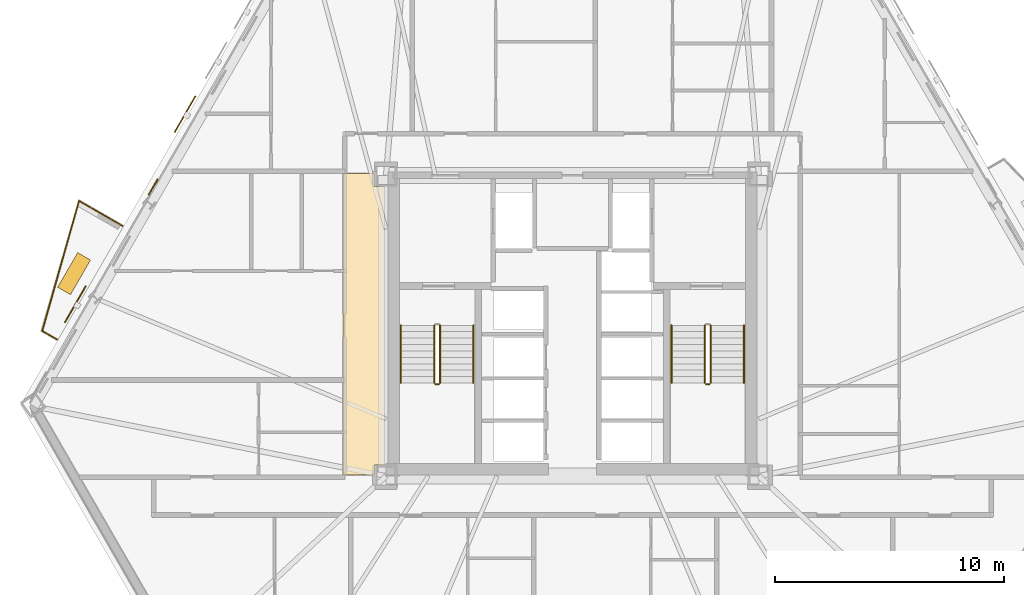
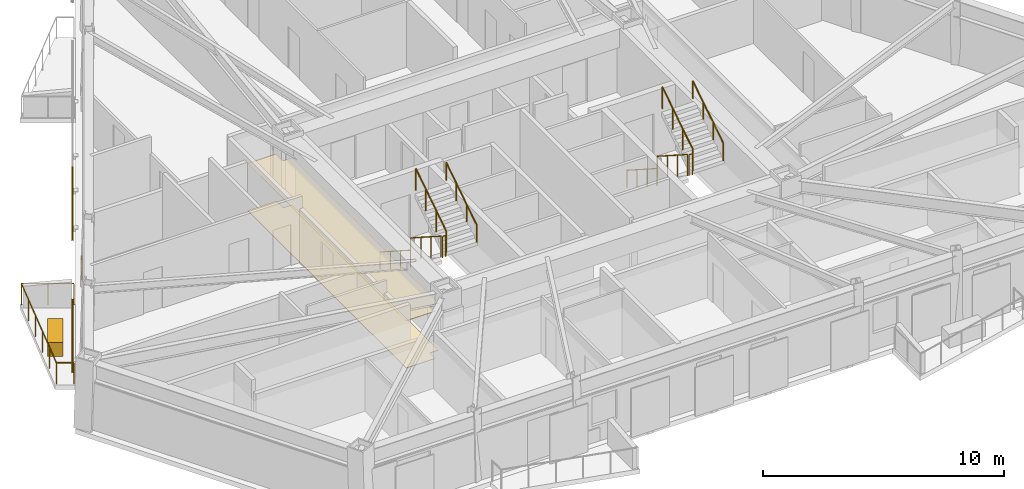
# One storey, part 8 of 10: 13 railings, 4 coverings, 2 shading devices.
"""IFC4 building model written with IfcOpenShell, lengths in metres."""

from ifc_helpers import new_model, si_unit, direction, frame, origin, origin_2d, place, context, subcontext, project, spatial, polyline, rectangle, circle, outline, extrude, material, layer, layer_set, type_object, element, save


model = new_model("IFC4")

# Units and contexts
model_context = context("Model", 3, precision=1e-05, world=origin(), true_north=direction((0.0, 1.0)))
body_context = subcontext(model_context, "Body", "Model", "MODEL_VIEW")
ifc_project = project(units=[si_unit("LENGTHUNIT", "METRE"), si_unit("AREAUNIT", "SQUARE_METRE"), si_unit("VOLUMEUNIT", "CUBIC_METRE"), si_unit("PLANEANGLEUNIT", "RADIAN"), si_unit("MASSUNIT", "GRAM", prefix="KILO")], contexts=[model_context])

# Site, building, storey
site_placement = place(None, origin())
site = spatial("IfcSite", under=ifc_project, at=site_placement, CompositionType="ELEMENT")
building_placement = place(site_placement, origin())
building = spatial("IfcBuilding", under=site, at=building_placement, Name="Oramaril Tower", CompositionType="ELEMENT")
storey_placement = place(building_placement, frame((0.0, 0.0, 74.10009765625)))
storey = spatial("IfcBuildingStorey", under=building, at=storey_placement, Name="L19", CompositionType="ELEMENT", Elevation=74.10009765625)

# Coverings
ifc_material_1 = material(Name="Mineral Fibre Acoustic Ceiling")
ifc_layer_1 = layer(ifc_material_1, 0.02001953125)
ifc_layer_set_1 = layer_set([ifc_layer_1], Name="CVT-CEIL")
covering_type_1 = type_object("IfcCoveringType", Name="CVT-CEIL", PredefinedType="CEILING", material=ifc_layer_set_1)
covering_1_placement = place(storey_placement, frame((0.0, 0.0, 2.39990234375)))
element("IfcCovering", 1, at=covering_1_placement, inside=storey, type_object=covering_type_1, Name="L19 Acoustic Suspended Ceiling 3", PredefinedType="CEILING", context=body_context, shape_type="SweptSolid", body=[
    extrude(outline(polyline([(28.85498046875, 23.655029296875), (29.280029296875, 23.655029296875), (29.280029296875, 11.4951171875), (28.85498046875, 11.4951171875), (28.85498046875, 11.050048828125), (27.469970703125, 11.050048828125), (27.469970703125, 24.219970703125), (28.85498046875, 24.219970703125), (28.85498046875, 23.655029296875)])), origin(), (0.0, 0.0, 1.0), 0.02001953125),
])
ifc_material_2 = material(Name="Warm Cream Limestone", Category="masonry")
ifc_layer_2 = layer(ifc_material_2, 0.050048828125)
ifc_layer_set_2 = layer_set([ifc_layer_2], Name="CVT-CLD")
covering_type_2 = type_object("IfcCoveringType", Name="CVT-CLD", PredefinedType="CLADDING", material=ifc_layer_set_2)
covering_2_placement = place(storey_placement, frame((19.170166015625, 23.62890625, 0.0400390625), z_axis=(0.0, 0.0, 1.0), x_axis=(-0.5, -0.866025403784, 0.0)))
element("IfcCovering", 2, at=covering_2_placement, inside=storey, type_object=covering_type_2, Name="L19 Warm Cream Limestone Spandrel Cladding", PredefinedType="CLADDING", context=body_context, shape_type="SweptSolid", body=[
    extrude(rectangle(XDim=0.800048828125, YDim=0.050048828125, at=origin_2d()), origin(), (0.0, 0.0, 1.0), 0.679931640625),
])
covering_3_placement = place(storey_placement, frame((15.714111328125, 19.849853515625, 0.0), z_axis=(0.0, 0.0, 1.0), x_axis=(-0.5, -0.866025403784, 0.0)))
element("IfcCovering", 3, at=covering_3_placement, inside=storey, type_object=covering_type_2, Name="L19 Structural Tree Planter Box L19-BAL-NW2", PredefinedType="CLADDING", context=body_context, shape_type="SweptSolid", body=[
    extrude(rectangle(XDim=1.75, YDim=0.64990234375, at=origin_2d()), origin(), (0.0, 0.0, 1.0), 0.699951171875),
])
ifc_material_3 = material(Name="Honed Quartzite Stone Flooring", Category="masonry")
ifc_layer_3 = layer(ifc_material_3, 0.02490234375)
ifc_layer_set_3 = layer_set([ifc_layer_3], Name="CVT-FLR")
covering_type_3 = type_object("IfcCoveringType", Name="CVT-FLR", PredefinedType="FLOORING", material=ifc_layer_set_3)
covering_4_placement = place(storey_placement, origin())
element("IfcCovering", 4, at=covering_4_placement, inside=storey, type_object=covering_type_3, Name="L19 Honed Stone Floor Finish 3", PredefinedType="FLOORING", context=body_context, shape_type="SweptSolid", body=[
    extrude(outline(polyline([(28.85498046875, 23.655029296875), (29.280029296875, 23.655029296875), (29.280029296875, 11.4951171875), (28.85498046875, 11.4951171875), (28.85498046875, 11.050048828125), (27.469970703125, 11.050048828125), (27.469970703125, 24.219970703125), (28.85498046875, 24.219970703125), (28.85498046875, 23.655029296875)])), origin(), (0.0, 0.0, 1.0), 0.02490234375),
])

# Railings
ifc_material_4 = material(Name="Stainless Steel 316L", Category="steel")
railing_type_1 = type_object("IfcRailingType", Name="RLT-GRD", PredefinedType="GUARDRAIL", material=ifc_material_4)
railing_1_placement = place(storey_placement, frame((14.96435546875, 16.974609375, 0.0)))
element("IfcRailing", 5, at=railing_1_placement, inside=storey, type_object=railing_type_1, Name="L19 Balcony Guardrail L19-BAL-NW2.1", PredefinedType="GUARDRAIL", context=body_context, shape_type="SweptSolid", body=[
    extrude(circle(Radius=0.02392578125, at=origin_2d()), frame((0.0, 0.0, 1.076171875), z_axis=(-0.866026623601, 0.49999788721, 0.0), x_axis=(-0.49999788721, -0.866026623601, 0.0)), (0.0, 0.0, 1.0), 0.74169921875),
    extrude(circle(Radius=0.02099609375, at=origin_2d()), origin(), (0.0, 0.0, 1.0), 1.052001953125),
    extrude(circle(Radius=0.02099609375, at=origin_2d()), frame((-0.642333984375, 0.370849609375, 0.0)), (0.0, 0.0, 1.0), 1.052001953125),
])
railing_2_placement = place(storey_placement, frame((14.322021484375, 17.345458984375, 0.0)))
element("IfcRailing", 6, at=railing_2_placement, inside=storey, type_object=railing_type_1, Name="L19 Balcony Guardrail L19-BAL-NW2.2", PredefinedType="GUARDRAIL", context=body_context, shape_type="SweptSolid", body=[
    extrude(circle(Radius=0.02392578125, at=origin_2d()), frame((0.0, 0.0, 1.076171875), z_axis=(0.27224886544, 0.962226873074, 0.0), x_axis=(-0.962226873074, 0.27224886544, 0.0)), (0.0, 0.0, 1.0), 5.910400390625),
    extrude(circle(Radius=0.02099609375, at=origin_2d()), origin(), (0.0, 0.0, 1.0), 1.052001953125),
    extrude(circle(Radius=0.02099609375, at=origin_2d()), frame((0.32177734375, 1.137451171875, 0.0)), (0.0, 0.0, 1.0), 1.052001953125),
    extrude(circle(Radius=0.02099609375, at=origin_2d()), frame((0.6435546875, 2.27490234375, 0.0)), (0.0, 0.0, 1.0), 1.052001953125),
    extrude(circle(Radius=0.02099609375, at=origin_2d()), frame((0.965576171875, 3.412353515625, 0.0)), (0.0, 0.0, 1.0), 1.052001953125),
    extrude(circle(Radius=0.02099609375, at=origin_2d()), frame((1.287353515625, 4.5498046875, 0.0)), (0.0, 0.0, 1.0), 1.052001953125),
    extrude(circle(Radius=0.02099609375, at=origin_2d()), frame((1.609130859375, 5.687255859375, 0.0)), (0.0, 0.0, 1.0), 1.052001953125),
])
railing_3_placement = place(storey_placement, frame((15.93115234375, 23.03271484375, 0.0)))
element("IfcRailing", 7, at=railing_3_placement, inside=storey, type_object=railing_type_1, Name="L19 Balcony Guardrail L19-BAL-NW2.3", PredefinedType="GUARDRAIL", context=body_context, shape_type="SweptSolid", body=[
    extrude(circle(Radius=0.02392578125, at=origin_2d()), frame((0.0, 0.0, 1.076171875), z_axis=(0.866020500697, -0.5000084923, 0.0), x_axis=(0.5000084923, 0.866020500697, 0.0)), (0.0, 0.0, 1.0), 2.19189453125),
    extrude(circle(Radius=0.02099609375, at=origin_2d()), origin(), (0.0, 0.0, 1.0), 1.052001953125),
    extrude(circle(Radius=0.02099609375, at=origin_2d()), frame((0.94921875, -0.5478515625, 0.0)), (0.0, 0.0, 1.0), 1.052001953125),
    extrude(circle(Radius=0.02099609375, at=origin_2d()), frame((1.898193359375, -1.095947265625, 0.0)), (0.0, 0.0, 1.0), 1.052001953125),
])
railing_4_placement = place(storey_placement, frame((31.4599609375, 17.590087890625, 0.179931640625)))
element("IfcRailing", 8, at=railing_4_placement, inside=storey, type_object=railing_type_1, Name="L19 ST-1 stair guard 1", PredefinedType="GUARDRAIL", context=body_context, shape_type="SweptSolid", body=[
    extrude(circle(Radius=0.02392578125, at=origin_2d()), frame((0.0, 0.0, 1.076171875), z_axis=(0.0, -0.841199657755, 0.540724639528), x_axis=(1.0, 0.0, 0.0)), (0.0, 0.0, 1.0), 2.995849609375),
    extrude(circle(Radius=0.02099609375, at=origin_2d()), origin(), (0.0, 0.0, 1.0), 1.052001953125),
    extrude(circle(Radius=0.02099609375, at=origin_2d()), frame((0.0, -0.840087890625, 0.5400390625)), (0.0, 0.0, 1.0), 1.052001953125),
    extrude(circle(Radius=0.02099609375, at=origin_2d()), frame((0.0, -1.679931640625, 1.079833984375)), (0.0, 0.0, 1.0), 1.052001953125),
    extrude(circle(Radius=0.02099609375, at=origin_2d()), frame((0.0, -2.52001953125, 1.619873046875)), (0.0, 0.0, 1.0), 1.052001953125),
])
railing_5_placement = place(storey_placement, frame((31.510009765625, 15.02001953125, 1.7998046875)))
element("IfcRailing", 9, at=railing_5_placement, inside=storey, type_object=railing_type_1, Name="L19 ST-1 stair guard 2", PredefinedType="GUARDRAIL", context=body_context, shape_type="SweptSolid", body=[
    extrude(circle(Radius=0.02392578125, at=origin_2d()), frame((0.0, 0.0, 1.076171875), z_axis=(1.0, 0.0, 0.0), x_axis=(0.0, 1.0, 0.0)), (0.0, 0.0, 1.0), 0.14990234375),
    extrude(circle(Radius=0.02099609375, at=origin_2d()), origin(), (0.0, 0.0, 1.0), 1.052001953125),
    extrude(circle(Radius=0.02099609375, at=origin_2d()), frame((0.14990234375, 0.0, 0.0)), (0.0, 0.0, 1.0), 1.052001953125),
])
railing_6_placement = place(storey_placement, frame((31.7099609375, 15.070068359375, 1.97998046875)))
element("IfcRailing", 10, at=railing_6_placement, inside=storey, type_object=railing_type_1, Name="L19 ST-1 stair guard 3", PredefinedType="GUARDRAIL", context=body_context, shape_type="SweptSolid", body=[
    extrude(circle(Radius=0.02392578125, at=origin_2d()), frame((0.0, 0.0, 1.076171875), z_axis=(0.0, 0.841199657755, 0.540724639528), x_axis=(-1.0, 0.0, 0.0)), (0.0, 0.0, 1.0), 2.995849609375),
    extrude(circle(Radius=0.02099609375, at=origin_2d()), origin(), (0.0, 0.0, 1.0), 1.052001953125),
    extrude(circle(Radius=0.02099609375, at=origin_2d()), frame((0.0, 0.840087890625, 0.5400390625)), (0.0, 0.0, 1.0), 1.052001953125),
    extrude(circle(Radius=0.02099609375, at=origin_2d()), frame((0.0, 1.679931640625, 1.079833984375)), (0.0, 0.0, 1.0), 1.052001953125),
    extrude(circle(Radius=0.02099609375, at=origin_2d()), frame((0.0, 2.52001953125, 1.619873046875)), (0.0, 0.0, 1.0), 1.052001953125),
])
railing_7_placement = place(storey_placement, frame((43.2900390625, 17.590087890625, 0.179931640625)))
element("IfcRailing", 11, at=railing_7_placement, inside=storey, type_object=railing_type_1, Name="L19 ST-2 stair guard 1", PredefinedType="GUARDRAIL", context=body_context, shape_type="SweptSolid", body=[
    extrude(circle(Radius=0.02392578125, at=origin_2d()), frame((0.0, 0.0, 1.076171875), z_axis=(0.0, -0.841199657755, 0.540724639528), x_axis=(1.0, 0.0, 0.0)), (0.0, 0.0, 1.0), 2.995849609375),
    extrude(circle(Radius=0.02099609375, at=origin_2d()), origin(), (0.0, 0.0, 1.0), 1.052001953125),
    extrude(circle(Radius=0.02099609375, at=origin_2d()), frame((0.0, -0.840087890625, 0.5400390625)), (0.0, 0.0, 1.0), 1.052001953125),
    extrude(circle(Radius=0.02099609375, at=origin_2d()), frame((0.0, -1.679931640625, 1.079833984375)), (0.0, 0.0, 1.0), 1.052001953125),
    extrude(circle(Radius=0.02099609375, at=origin_2d()), frame((0.0, -2.52001953125, 1.619873046875)), (0.0, 0.0, 1.0), 1.052001953125),
])
railing_8_placement = place(storey_placement, frame((43.340087890625, 15.02001953125, 1.7998046875)))
element("IfcRailing", 12, at=railing_8_placement, inside=storey, type_object=railing_type_1, Name="L19 ST-2 stair guard 2", PredefinedType="GUARDRAIL", context=body_context, shape_type="SweptSolid", body=[
    extrude(circle(Radius=0.02392578125, at=origin_2d()), frame((0.0, 0.0, 1.076171875), z_axis=(1.0, 0.0, 0.0), x_axis=(0.0, 1.0, 0.0)), (0.0, 0.0, 1.0), 0.14990234375),
    extrude(circle(Radius=0.02099609375, at=origin_2d()), origin(), (0.0, 0.0, 1.0), 1.052001953125),
    extrude(circle(Radius=0.02099609375, at=origin_2d()), frame((0.14990234375, 0.0, 0.0)), (0.0, 0.0, 1.0), 1.052001953125),
])
railing_9_placement = place(storey_placement, frame((43.5400390625, 15.070068359375, 1.97998046875)))
element("IfcRailing", 13, at=railing_9_placement, inside=storey, type_object=railing_type_1, Name="L19 ST-2 stair guard 3", PredefinedType="GUARDRAIL", context=body_context, shape_type="SweptSolid", body=[
    extrude(circle(Radius=0.02392578125, at=origin_2d()), frame((0.0, 0.0, 1.076171875), z_axis=(0.0, 0.841199657755, 0.540724639528), x_axis=(-1.0, 0.0, 0.0)), (0.0, 0.0, 1.0), 2.995849609375),
    extrude(circle(Radius=0.02099609375, at=origin_2d()), origin(), (0.0, 0.0, 1.0), 1.052001953125),
    extrude(circle(Radius=0.02099609375, at=origin_2d()), frame((0.0, 0.840087890625, 0.5400390625)), (0.0, 0.0, 1.0), 1.052001953125),
    extrude(circle(Radius=0.02099609375, at=origin_2d()), frame((0.0, 1.679931640625, 1.079833984375)), (0.0, 0.0, 1.0), 1.052001953125),
    extrude(circle(Radius=0.02099609375, at=origin_2d()), frame((0.0, 2.52001953125, 1.619873046875)), (0.0, 0.0, 1.0), 1.052001953125),
])
ifc_material_5 = material(Name="Stainless Steel 316L", Category="steel")
railing_type_2 = type_object("IfcRailingType", Name="RLT-HND", PredefinedType="HANDRAIL", material=ifc_material_5)
railing_10_placement = place(storey_placement, frame((30.0, 17.590087890625, 0.179931640625)))
element("IfcRailing", 14, at=railing_10_placement, inside=storey, type_object=railing_type_2, Name="L19 ST-1 stair handrail 1", PredefinedType="HANDRAIL", context=body_context, shape_type="SweptSolid", body=[
    extrude(circle(Radius=0.02392578125, at=origin_2d()), frame((0.0, 0.0, 0.8759765625), z_axis=(0.0, -0.841199657755, 0.540724639528), x_axis=(1.0, 0.0, 0.0)), (0.0, 0.0, 1.0), 2.995849609375),
    extrude(circle(Radius=0.02099609375, at=origin_2d()), origin(), (0.0, 0.0, 1.0), 0.851806640625),
    extrude(circle(Radius=0.02099609375, at=origin_2d()), frame((0.0, -0.840087890625, 0.5400390625)), (0.0, 0.0, 1.0), 0.851806640625),
    extrude(circle(Radius=0.02099609375, at=origin_2d()), frame((0.0, -1.679931640625, 1.079833984375)), (0.0, 0.0, 1.0), 0.851806640625),
    extrude(circle(Radius=0.02099609375, at=origin_2d()), frame((0.0, -2.52001953125, 1.619873046875)), (0.0, 0.0, 1.0), 0.851806640625),
])
railing_11_placement = place(storey_placement, frame((33.169921875, 15.070068359375, 1.97998046875)))
element("IfcRailing", 15, at=railing_11_placement, inside=storey, type_object=railing_type_2, Name="L19 ST-1 stair handrail 2", PredefinedType="HANDRAIL", context=body_context, shape_type="SweptSolid", body=[
    extrude(circle(Radius=0.02392578125, at=origin_2d()), frame((0.0, 0.0, 0.8759765625), z_axis=(0.0, 0.841199657755, 0.540724639528), x_axis=(-1.0, 0.0, 0.0)), (0.0, 0.0, 1.0), 2.995849609375),
    extrude(circle(Radius=0.02099609375, at=origin_2d()), origin(), (0.0, 0.0, 1.0), 0.851806640625),
    extrude(circle(Radius=0.02099609375, at=origin_2d()), frame((0.0, 0.840087890625, 0.5400390625)), (0.0, 0.0, 1.0), 0.851806640625),
    extrude(circle(Radius=0.02099609375, at=origin_2d()), frame((0.0, 1.679931640625, 1.079833984375)), (0.0, 0.0, 1.0), 0.851806640625),
    extrude(circle(Radius=0.02099609375, at=origin_2d()), frame((0.0, 2.52001953125, 1.619873046875)), (0.0, 0.0, 1.0), 0.851806640625),
])
railing_12_placement = place(storey_placement, frame((41.830078125, 17.590087890625, 0.179931640625)))
element("IfcRailing", 16, at=railing_12_placement, inside=storey, type_object=railing_type_2, Name="L19 ST-2 stair handrail 1", PredefinedType="HANDRAIL", context=body_context, shape_type="SweptSolid", body=[
    extrude(circle(Radius=0.02392578125, at=origin_2d()), frame((0.0, 0.0, 0.8759765625), z_axis=(0.0, -0.841199657755, 0.540724639528), x_axis=(1.0, 0.0, 0.0)), (0.0, 0.0, 1.0), 2.995849609375),
    extrude(circle(Radius=0.02099609375, at=origin_2d()), origin(), (0.0, 0.0, 1.0), 0.851806640625),
    extrude(circle(Radius=0.02099609375, at=origin_2d()), frame((0.0, -0.840087890625, 0.5400390625)), (0.0, 0.0, 1.0), 0.851806640625),
    extrude(circle(Radius=0.02099609375, at=origin_2d()), frame((0.0, -1.679931640625, 1.079833984375)), (0.0, 0.0, 1.0), 0.851806640625),
    extrude(circle(Radius=0.02099609375, at=origin_2d()), frame((0.0, -2.52001953125, 1.619873046875)), (0.0, 0.0, 1.0), 0.851806640625),
])
railing_13_placement = place(storey_placement, frame((45.0, 15.070068359375, 1.97998046875)))
element("IfcRailing", 17, at=railing_13_placement, inside=storey, type_object=railing_type_2, Name="L19 ST-2 stair handrail 2", PredefinedType="HANDRAIL", context=body_context, shape_type="SweptSolid", body=[
    extrude(circle(Radius=0.02392578125, at=origin_2d()), frame((0.0, 0.0, 0.8759765625), z_axis=(0.0, 0.841199657755, 0.540724639528), x_axis=(-1.0, 0.0, 0.0)), (0.0, 0.0, 1.0), 2.995849609375),
    extrude(circle(Radius=0.02099609375, at=origin_2d()), origin(), (0.0, 0.0, 1.0), 0.851806640625),
    extrude(circle(Radius=0.02099609375, at=origin_2d()), frame((0.0, 0.840087890625, 0.5400390625)), (0.0, 0.0, 1.0), 0.851806640625),
    extrude(circle(Radius=0.02099609375, at=origin_2d()), frame((0.0, 1.679931640625, 1.079833984375)), (0.0, 0.0, 1.0), 0.851806640625),
    extrude(circle(Radius=0.02099609375, at=origin_2d()), frame((0.0, 2.52001953125, 1.619873046875)), (0.0, 0.0, 1.0), 0.851806640625),
])

# Shading devices
for number, where, z_axis, x_axis, name in (
    (18, (15.7685546875, 18.510986328125, -0.020263671875), (0.0, 0.0, 1.0), (-0.5, -0.866025403784, 0.0), "L19 Perforated Ceramic Solar Screen"),
    (19, (20.563720703125, 26.81640625, -0.020263671875), (0.0, 0.0, 1.0), (-0.5, -0.866025403784, 0.0), "L19 Perforated Ceramic Solar Screen"),
):
    element("IfcShadingDevice", number, at=place(storey_placement, frame(where, z_axis=z_axis, x_axis=x_axis)), inside=storey, Name=name, ObjectType="SCREEN", PredefinedType="USERDEFINED", context=body_context, shape_type="SweptSolid", body=[
        extrude(rectangle(XDim=1.8330078125, YDim=0.050048828125, at=origin_2d()), origin(), (0.0, 0.0, 1.0), 2.47412109375),
    ])

save(model, "model.ifc")
